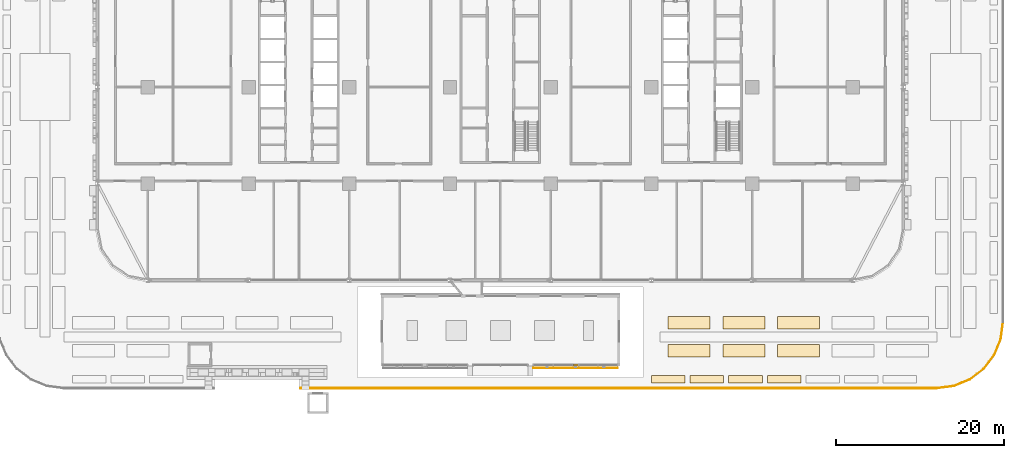
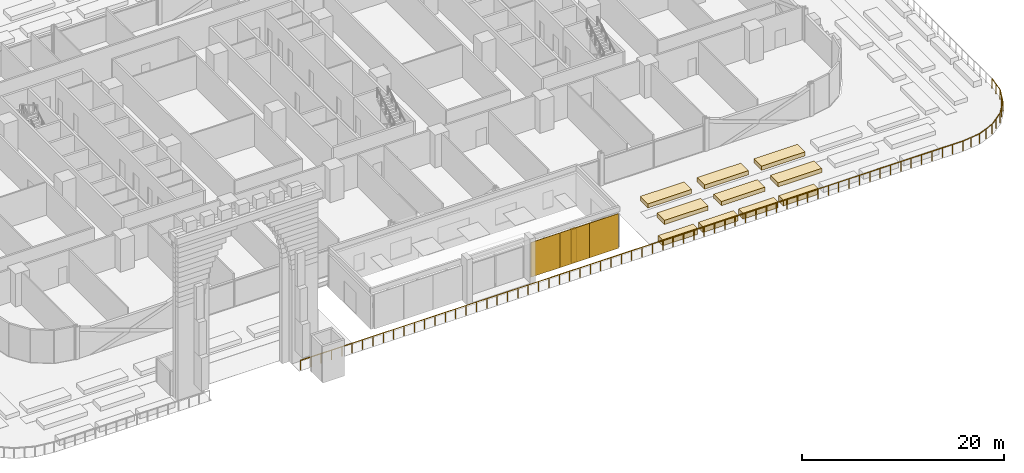
# One storey, part 35 of 39: 14 coverings, 1 railing.
"""IFC4 building model written with IfcOpenShell, lengths in metres."""

from ifc_helpers import new_model, si_unit, direction, frame, origin, origin_2d, place, context, subcontext, project, spatial, rectangle, circle, extrude, material, layer, layer_set, type_object, element, save


model = new_model("IFC4")

# Units and contexts
model_context = context("Model", 3, precision=1e-05, world=origin(), true_north=direction((0.0, 1.0)))
body_context = subcontext(model_context, "Body", "Model", "MODEL_VIEW")
ifc_project = project(units=[si_unit("LENGTHUNIT", "METRE"), si_unit("AREAUNIT", "SQUARE_METRE"), si_unit("VOLUMEUNIT", "CUBIC_METRE"), si_unit("PLANEANGLEUNIT", "RADIAN"), si_unit("MASSUNIT", "GRAM", prefix="KILO")], contexts=[model_context])

# Site, building, storey
site_placement = place(None, origin())
site = spatial("IfcSite", under=ifc_project, at=site_placement, CompositionType="ELEMENT")
building_placement = place(site_placement, origin())
building = spatial("IfcBuilding", under=site, at=building_placement, Name="Mahtab Terrace Research Tower", CompositionType="ELEMENT")
storey_placement = place(building_placement, frame((0.0, 0.0, 7.199951171875)))
storey = spatial("IfcBuildingStorey", under=building, at=storey_placement, Name="L01", CompositionType="ELEMENT", Elevation=7.199951171875)

# Coverings
ifc_material_1 = material(Name="Bronze anodised aluminium", Category="aluminium")
ifc_layer_1 = layer(ifc_material_1, 0.06005859375)
ifc_layer_set_1 = layer_set([ifc_layer_1], Name="Girih perforated screen panel")
covering_type_1 = type_object("IfcCoveringType", Name="Girih perforated screen panel", PredefinedType="CLADDING", material=ifc_layer_set_1)
for number, where, z_axis, x_axis, name in (
    (1, (5.583251953125, -33.47998046875, 0.10009765625), (0.0, 0.0, 1.0), (1.0, 0.0, 0.0), "Girih screen panel 4"),
    (2, (8.949951171875, -33.47998046875, 0.10009765625), (0.0, 0.0, 1.0), (1.0, 0.0, 0.0), "Girih screen panel 5"),
    (3, (12.316650390625, -33.47998046875, 0.10009765625), (0.0, 0.0, 1.0), (1.0, 0.0, 0.0), "Girih screen panel 6"),
):
    element("IfcCovering", number, at=place(storey_placement, frame(where, z_axis=z_axis, x_axis=x_axis)), inside=storey, type_object=covering_type_1, Name=name, PredefinedType="CLADDING", context=body_context, shape_type="SweptSolid", body=[
        extrude(rectangle(XDim=3.32666015625, YDim=0.06005859375, at=origin_2d()), origin(), (0.0, 0.0, 1.0), 4.199951171875),
    ])
ifc_material_2 = material(Name="Planting soil and shrubs")
ifc_layer_2 = layer(ifc_material_2, 0.1201171875)
ifc_layer_set_2 = layer_set([ifc_layer_2], Name="Planter")
covering_type_2 = type_object("IfcCoveringType", Name="Planter", PredefinedType="USERDEFINED", material=ifc_layer_set_2)
for number, where, z_axis, x_axis, name in (
    (4, (20.0, -34.800048828125, 0.0302734375), (0.0, 0.0, 1.0), (1.0, 0.0, 0.0), "PLANTER garden hedge"),
    (5, (24.60009765625, -34.800048828125, 0.0302734375), (0.0, 0.0, 1.0), (1.0, 0.0, 0.0), "PLANTER garden hedge"),
    (6, (29.199951171875, -34.800048828125, 0.0302734375), (0.0, 0.0, 1.0), (1.0, 0.0, 0.0), "PLANTER garden hedge"),
    (7, (33.800048828125, -34.800048828125, 0.0302734375), (0.0, 0.0, 1.0), (1.0, 0.0, 0.0), "PLANTER garden hedge"),
):
    element("IfcCovering", number, at=place(storey_placement, frame(where, z_axis=z_axis, x_axis=x_axis)), inside=storey, type_object=covering_type_2, Name=name, ObjectType="PLANTER", PredefinedType="USERDEFINED", context=body_context, shape_type="SweptSolid", body=[
        extrude(rectangle(XDim=4.0, YDim=0.89990234375, at=origin_2d()), origin(), (0.0, 0.0, 1.0), 0.699951171875),
    ])
for number, where, z_axis, x_axis, name in (
    (8, (22.5, -31.39990234375, 0.030029296875), (0.0, 0.0, 1.0), (1.0, 0.0, 0.0), "PLANTER garden bed"),
    (9, (22.5, -28.10009765625, 0.030029296875), (0.0, 0.0, 1.0), (1.0, 0.0, 0.0), "PLANTER garden bed"),
    (10, (29.0, -31.39990234375, 0.030029296875), (0.0, 0.0, 1.0), (1.0, 0.0, 0.0), "PLANTER garden bed"),
    (11, (29.0, -28.10009765625, 0.030029296875), (0.0, 0.0, 1.0), (1.0, 0.0, 0.0), "PLANTER garden bed"),
    (12, (35.5, -31.39990234375, 0.030029296875), (0.0, 0.0, 1.0), (1.0, 0.0, 0.0), "PLANTER garden bed"),
    (13, (35.5, -28.10009765625, 0.030029296875), (0.0, 0.0, 1.0), (1.0, 0.0, 0.0), "PLANTER garden bed"),
):
    element("IfcCovering", number, at=place(storey_placement, frame(where, z_axis=z_axis, x_axis=x_axis)), inside=storey, type_object=covering_type_2, Name=name, ObjectType="PLANTER", PredefinedType="USERDEFINED", context=body_context, shape_type="SweptSolid", body=[
        extrude(rectangle(XDim=5.0, YDim=1.5, at=origin_2d()), origin(), (0.0, 0.0, 1.0), 0.5),
    ])
ifc_material_3 = material(Name="Precast concrete C40/50", Category="concrete")
ifc_layer_3 = layer(ifc_material_3, 0.60009765625)
ifc_layer_set_3 = layer_set([ifc_layer_3], Name="Portal pier cladding")
covering_type_3 = type_object("IfcCoveringType", Name="Portal pier cladding", PredefinedType="CLADDING", material=ifc_layer_set_3)
covering_placement = place(storey_placement, frame((9.0, -33.125, 0.0), z_axis=(0.0, 0.0, 1.0), x_axis=(1.0, 0.0, 0.0)))
element("IfcCovering", 14, at=covering_placement, inside=storey, type_object=covering_type_3, Name="Pavilion glazing pier E", PredefinedType="CLADDING", context=body_context, shape_type="SweptSolid", body=[
    extrude(rectangle(XDim=0.60009765625, YDim=0.25, at=origin_2d()), origin(), (0.0, 0.0, 1.0), 4.0),
])

# Railing
ifc_material_4 = material(Name="Black anodised aluminium", Category="aluminium")
railing_type = type_object("IfcRailingType", Name="Terrace guard 1200", PredefinedType="GUARDRAIL", material=ifc_material_4)
railing_placement = place(storey_placement, frame((59.8798828125, -27.991943359375, 0.030029296875)))
element("IfcRailing", 15, at=railing_placement, inside=storey, type_object=railing_type, Name="Garden deck guard 2", PredefinedType="GUARDRAIL", context=body_context, shape_type="SweptSolid", body=[
    extrude(circle(Radius=0.030029296875, at=origin_2d()), frame((0.0, 0.0, 1.169921875), z_axis=(-0.130592082946, -0.991436184468, 0.0), x_axis=(0.991436184468, -0.130592082946, 0.0)), (0.0, 0.0, 1.0), 2.065673828125),
    extrude(circle(Radius=0.030029296875, at=origin_2d()), frame((-0.269775390625, -2.048095703125, 1.169921875), z_axis=(-0.382911202926, -0.923785153958, 0.0), x_axis=(0.923785153958, -0.382911202926, 0.0)), (0.0, 0.0, 1.0), 2.0556640625),
    extrude(circle(Radius=0.030029296875, at=origin_2d()), frame((-1.056884765625, -3.947021484375, 1.169921875), z_axis=(-0.608643320448, -0.793443954211, 0.0), x_axis=(0.793443954211, -0.608643320448, 0.0)), (0.0, 0.0, 1.0), 2.056884765625),
    extrude(circle(Radius=0.030029296875, at=origin_2d()), frame((-2.308837890625, -5.5791015625, 1.169921875), z_axis=(-0.793443954211, -0.608643320448, 0.0), x_axis=(0.608643320448, -0.793443954211, 0.0)), (0.0, 0.0, 1.0), 2.056884765625),
    extrude(circle(Radius=0.030029296875, at=origin_2d()), frame((-3.94091796875, -6.8310546875, 1.169921875), z_axis=(-0.923785153958, -0.382911202926, 0.0), x_axis=(0.382911202926, -0.923785153958, 0.0)), (0.0, 0.0, 1.0), 2.0556640625),
    extrude(circle(Radius=0.030029296875, at=origin_2d()), frame((-5.83984375, -7.6181640625, 1.169921875), z_axis=(-0.991436184468, -0.130592082946, 0.0), x_axis=(0.130592082946, -0.991436184468, 0.0)), (0.0, 0.0, 1.0), 2.065673828125),
    extrude(circle(Radius=0.030029296875, at=origin_2d()), frame((-7.887939453125, -7.887939453125, 1.169921875), z_axis=(-1.0, 0.0, 0.0), x_axis=(0.0, -1.0, 0.0)), (0.0, 0.0, 1.0), 75.7919921875),
    extrude(circle(Radius=0.02490234375, at=origin_2d()), origin(), (0.0, 0.0, 1.0), 1.139892578125),
    extrude(circle(Radius=0.02490234375, at=origin_2d()), frame((-0.134765625, -1.02392578125, 0.0)), (0.0, 0.0, 1.0), 1.139892578125),
    extrude(circle(Radius=0.02490234375, at=origin_2d()), frame((-0.269775390625, -2.048095703125, 0.0)), (0.0, 0.0, 1.0), 1.139892578125),
    extrude(circle(Radius=0.02490234375, at=origin_2d()), frame((-0.663330078125, -2.99755859375, 0.0)), (0.0, 0.0, 1.0), 1.139892578125),
    extrude(circle(Radius=0.02490234375, at=origin_2d()), frame((-1.056884765625, -3.947021484375, 0.0)), (0.0, 0.0, 1.0), 1.139892578125),
    extrude(circle(Radius=0.02490234375, at=origin_2d()), frame((-1.682861328125, -4.76318359375, 0.0)), (0.0, 0.0, 1.0), 1.139892578125),
    extrude(circle(Radius=0.02490234375, at=origin_2d()), frame((-2.308837890625, -5.5791015625, 0.0)), (0.0, 0.0, 1.0), 1.139892578125),
    extrude(circle(Radius=0.02490234375, at=origin_2d()), frame((-3.125, -6.205078125, 0.0)), (0.0, 0.0, 1.0), 1.139892578125),
    extrude(circle(Radius=0.02490234375, at=origin_2d()), frame((-3.94091796875, -6.8310546875, 0.0)), (0.0, 0.0, 1.0), 1.139892578125),
    extrude(circle(Radius=0.02490234375, at=origin_2d()), frame((-4.890380859375, -7.224609375, 0.0)), (0.0, 0.0, 1.0), 1.139892578125),
    extrude(circle(Radius=0.02490234375, at=origin_2d()), frame((-5.83984375, -7.6181640625, 0.0)), (0.0, 0.0, 1.0), 1.139892578125),
    extrude(circle(Radius=0.02490234375, at=origin_2d()), frame((-6.86376953125, -7.7529296875, 0.0)), (0.0, 0.0, 1.0), 1.139892578125),
    extrude(circle(Radius=0.02490234375, at=origin_2d()), frame((-7.887939453125, -7.887939453125, 0.0)), (0.0, 0.0, 1.0), 1.139892578125),
    extrude(circle(Radius=0.02490234375, at=origin_2d()), frame((-9.072265625, -7.887939453125, 0.0)), (0.0, 0.0, 1.0), 1.139892578125),
    extrude(circle(Radius=0.02490234375, at=origin_2d()), frame((-10.25634765625, -7.887939453125, 0.0)), (0.0, 0.0, 1.0), 1.139892578125),
    extrude(circle(Radius=0.02490234375, at=origin_2d()), frame((-11.440673828125, -7.887939453125, 0.0)), (0.0, 0.0, 1.0), 1.139892578125),
    extrude(circle(Radius=0.02490234375, at=origin_2d()), frame((-12.625, -7.887939453125, 0.0)), (0.0, 0.0, 1.0), 1.139892578125),
    extrude(circle(Radius=0.02490234375, at=origin_2d()), frame((-13.80908203125, -7.887939453125, 0.0)), (0.0, 0.0, 1.0), 1.139892578125),
    extrude(circle(Radius=0.02490234375, at=origin_2d()), frame((-14.993408203125, -7.887939453125, 0.0)), (0.0, 0.0, 1.0), 1.139892578125),
    extrude(circle(Radius=0.02490234375, at=origin_2d()), frame((-16.177734375, -7.887939453125, 0.0)), (0.0, 0.0, 1.0), 1.139892578125),
    extrude(circle(Radius=0.02490234375, at=origin_2d()), frame((-17.36181640625, -7.887939453125, 0.0)), (0.0, 0.0, 1.0), 1.139892578125),
    extrude(circle(Radius=0.02490234375, at=origin_2d()), frame((-18.546142578125, -7.887939453125, 0.0)), (0.0, 0.0, 1.0), 1.139892578125),
    extrude(circle(Radius=0.02490234375, at=origin_2d()), frame((-19.73046875, -7.887939453125, 0.0)), (0.0, 0.0, 1.0), 1.139892578125),
    extrude(circle(Radius=0.02490234375, at=origin_2d()), frame((-20.914794921875, -7.887939453125, 0.0)), (0.0, 0.0, 1.0), 1.139892578125),
    extrude(circle(Radius=0.02490234375, at=origin_2d()), frame((-22.098876953125, -7.887939453125, 0.0)), (0.0, 0.0, 1.0), 1.139892578125),
    extrude(circle(Radius=0.02490234375, at=origin_2d()), frame((-23.283203125, -7.887939453125, 0.0)), (0.0, 0.0, 1.0), 1.139892578125),
    extrude(circle(Radius=0.02490234375, at=origin_2d()), frame((-24.467529296875, -7.887939453125, 0.0)), (0.0, 0.0, 1.0), 1.139892578125),
    extrude(circle(Radius=0.02490234375, at=origin_2d()), frame((-25.651611328125, -7.887939453125, 0.0)), (0.0, 0.0, 1.0), 1.139892578125),
    extrude(circle(Radius=0.02490234375, at=origin_2d()), frame((-26.8359375, -7.887939453125, 0.0)), (0.0, 0.0, 1.0), 1.139892578125),
    extrude(circle(Radius=0.02490234375, at=origin_2d()), frame((-28.020263671875, -7.887939453125, 0.0)), (0.0, 0.0, 1.0), 1.139892578125),
    extrude(circle(Radius=0.02490234375, at=origin_2d()), frame((-29.204345703125, -7.887939453125, 0.0)), (0.0, 0.0, 1.0), 1.139892578125),
    extrude(circle(Radius=0.02490234375, at=origin_2d()), frame((-30.388671875, -7.887939453125, 0.0)), (0.0, 0.0, 1.0), 1.139892578125),
    extrude(circle(Radius=0.02490234375, at=origin_2d()), frame((-31.572998046875, -7.887939453125, 0.0)), (0.0, 0.0, 1.0), 1.139892578125),
    extrude(circle(Radius=0.02490234375, at=origin_2d()), frame((-32.757080078125, -7.887939453125, 0.0)), (0.0, 0.0, 1.0), 1.139892578125),
    extrude(circle(Radius=0.02490234375, at=origin_2d()), frame((-33.94140625, -7.887939453125, 0.0)), (0.0, 0.0, 1.0), 1.139892578125),
    extrude(circle(Radius=0.02490234375, at=origin_2d()), frame((-35.125732421875, -7.887939453125, 0.0)), (0.0, 0.0, 1.0), 1.139892578125),
    extrude(circle(Radius=0.02490234375, at=origin_2d()), frame((-36.31005859375, -7.887939453125, 0.0)), (0.0, 0.0, 1.0), 1.139892578125),
    extrude(circle(Radius=0.02490234375, at=origin_2d()), frame((-37.494140625, -7.887939453125, 0.0)), (0.0, 0.0, 1.0), 1.139892578125),
    extrude(circle(Radius=0.02490234375, at=origin_2d()), frame((-38.678466796875, -7.887939453125, 0.0)), (0.0, 0.0, 1.0), 1.139892578125),
    extrude(circle(Radius=0.02490234375, at=origin_2d()), frame((-39.86279296875, -7.887939453125, 0.0)), (0.0, 0.0, 1.0), 1.139892578125),
    extrude(circle(Radius=0.02490234375, at=origin_2d()), frame((-41.046875, -7.887939453125, 0.0)), (0.0, 0.0, 1.0), 1.139892578125),
    extrude(circle(Radius=0.02490234375, at=origin_2d()), frame((-42.231201171875, -7.887939453125, 0.0)), (0.0, 0.0, 1.0), 1.139892578125),
    extrude(circle(Radius=0.02490234375, at=origin_2d()), frame((-43.41552734375, -7.887939453125, 0.0)), (0.0, 0.0, 1.0), 1.139892578125),
    extrude(circle(Radius=0.02490234375, at=origin_2d()), frame((-44.599609375, -7.887939453125, 0.0)), (0.0, 0.0, 1.0), 1.139892578125),
    extrude(circle(Radius=0.02490234375, at=origin_2d()), frame((-45.783935546875, -7.887939453125, 0.0)), (0.0, 0.0, 1.0), 1.139892578125),
    extrude(circle(Radius=0.02490234375, at=origin_2d()), frame((-46.96826171875, -7.887939453125, 0.0)), (0.0, 0.0, 1.0), 1.139892578125),
    extrude(circle(Radius=0.02490234375, at=origin_2d()), frame((-48.15234375, -7.887939453125, 0.0)), (0.0, 0.0, 1.0), 1.139892578125),
    extrude(circle(Radius=0.02490234375, at=origin_2d()), frame((-49.336669921875, -7.887939453125, 0.0)), (0.0, 0.0, 1.0), 1.139892578125),
    extrude(circle(Radius=0.02490234375, at=origin_2d()), frame((-50.52099609375, -7.887939453125, 0.0)), (0.0, 0.0, 1.0), 1.139892578125),
    extrude(circle(Radius=0.02490234375, at=origin_2d()), frame((-51.705078125, -7.887939453125, 0.0)), (0.0, 0.0, 1.0), 1.139892578125),
    extrude(circle(Radius=0.02490234375, at=origin_2d()), frame((-52.889404296875, -7.887939453125, 0.0)), (0.0, 0.0, 1.0), 1.139892578125),
    extrude(circle(Radius=0.02490234375, at=origin_2d()), frame((-54.07373046875, -7.887939453125, 0.0)), (0.0, 0.0, 1.0), 1.139892578125),
    extrude(circle(Radius=0.02490234375, at=origin_2d()), frame((-55.2578125, -7.887939453125, 0.0)), (0.0, 0.0, 1.0), 1.139892578125),
    extrude(circle(Radius=0.02490234375, at=origin_2d()), frame((-56.442138671875, -7.887939453125, 0.0)), (0.0, 0.0, 1.0), 1.139892578125),
    extrude(circle(Radius=0.02490234375, at=origin_2d()), frame((-57.62646484375, -7.887939453125, 0.0)), (0.0, 0.0, 1.0), 1.139892578125),
    extrude(circle(Radius=0.02490234375, at=origin_2d()), frame((-58.810791015625, -7.887939453125, 0.0)), (0.0, 0.0, 1.0), 1.139892578125),
    extrude(circle(Radius=0.02490234375, at=origin_2d()), frame((-59.994873046875, -7.887939453125, 0.0)), (0.0, 0.0, 1.0), 1.139892578125),
    extrude(circle(Radius=0.02490234375, at=origin_2d()), frame((-61.17919921875, -7.887939453125, 0.0)), (0.0, 0.0, 1.0), 1.139892578125),
    extrude(circle(Radius=0.02490234375, at=origin_2d()), frame((-62.363525390625, -7.887939453125, 0.0)), (0.0, 0.0, 1.0), 1.139892578125),
    extrude(circle(Radius=0.02490234375, at=origin_2d()), frame((-63.547607421875, -7.887939453125, 0.0)), (0.0, 0.0, 1.0), 1.139892578125),
    extrude(circle(Radius=0.02490234375, at=origin_2d()), frame((-64.73193359375, -7.887939453125, 0.0)), (0.0, 0.0, 1.0), 1.139892578125),
    extrude(circle(Radius=0.02490234375, at=origin_2d()), frame((-65.916259765625, -7.887939453125, 0.0)), (0.0, 0.0, 1.0), 1.139892578125),
    extrude(circle(Radius=0.02490234375, at=origin_2d()), frame((-67.100341796875, -7.887939453125, 0.0)), (0.0, 0.0, 1.0), 1.139892578125),
    extrude(circle(Radius=0.02490234375, at=origin_2d()), frame((-68.28466796875, -7.887939453125, 0.0)), (0.0, 0.0, 1.0), 1.139892578125),
    extrude(circle(Radius=0.02490234375, at=origin_2d()), frame((-69.468994140625, -7.887939453125, 0.0)), (0.0, 0.0, 1.0), 1.139892578125),
    extrude(circle(Radius=0.02490234375, at=origin_2d()), frame((-70.653076171875, -7.887939453125, 0.0)), (0.0, 0.0, 1.0), 1.139892578125),
    extrude(circle(Radius=0.02490234375, at=origin_2d()), frame((-71.83740234375, -7.887939453125, 0.0)), (0.0, 0.0, 1.0), 1.139892578125),
    extrude(circle(Radius=0.02490234375, at=origin_2d()), frame((-73.021728515625, -7.887939453125, 0.0)), (0.0, 0.0, 1.0), 1.139892578125),
    extrude(circle(Radius=0.02490234375, at=origin_2d()), frame((-74.2060546875, -7.887939453125, 0.0)), (0.0, 0.0, 1.0), 1.139892578125),
    extrude(circle(Radius=0.02490234375, at=origin_2d()), frame((-75.39013671875, -7.887939453125, 0.0)), (0.0, 0.0, 1.0), 1.139892578125),
    extrude(circle(Radius=0.02490234375, at=origin_2d()), frame((-76.574462890625, -7.887939453125, 0.0)), (0.0, 0.0, 1.0), 1.139892578125),
    extrude(circle(Radius=0.02490234375, at=origin_2d()), frame((-77.7587890625, -7.887939453125, 0.0)), (0.0, 0.0, 1.0), 1.139892578125),
    extrude(circle(Radius=0.02490234375, at=origin_2d()), frame((-78.94287109375, -7.887939453125, 0.0)), (0.0, 0.0, 1.0), 1.139892578125),
    extrude(circle(Radius=0.02490234375, at=origin_2d()), frame((-80.127197265625, -7.887939453125, 0.0)), (0.0, 0.0, 1.0), 1.139892578125),
    extrude(circle(Radius=0.02490234375, at=origin_2d()), frame((-81.3115234375, -7.887939453125, 0.0)), (0.0, 0.0, 1.0), 1.139892578125),
    extrude(circle(Radius=0.02490234375, at=origin_2d()), frame((-82.49560546875, -7.887939453125, 0.0)), (0.0, 0.0, 1.0), 1.139892578125),
    extrude(circle(Radius=0.02490234375, at=origin_2d()), frame((-83.679931640625, -7.887939453125, 0.0)), (0.0, 0.0, 1.0), 1.139892578125),
])

save(model, "model.ifc")
